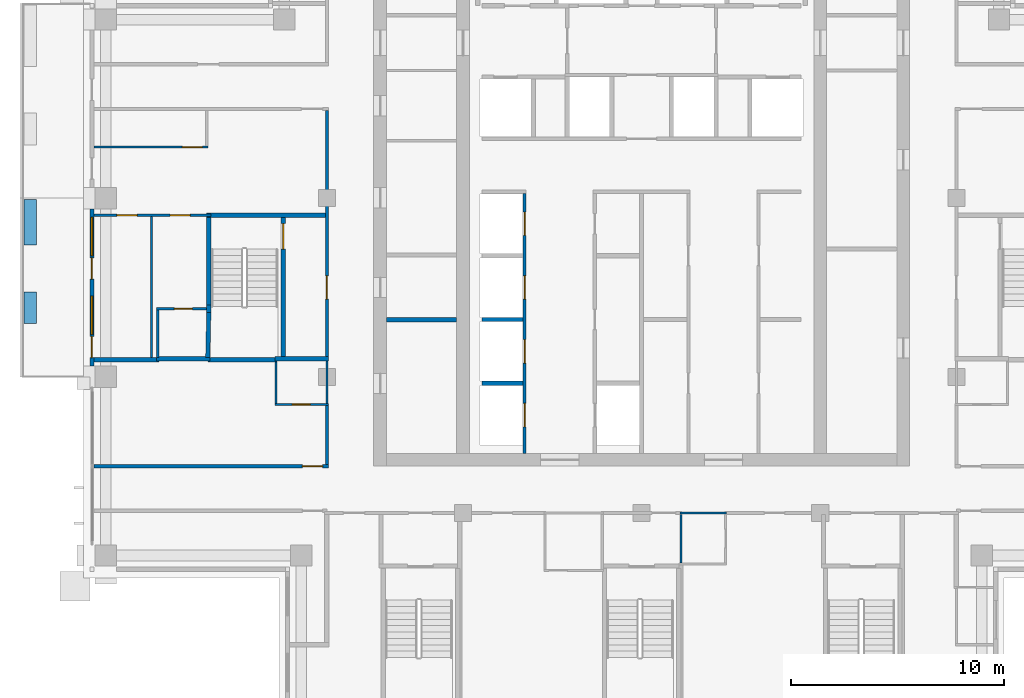
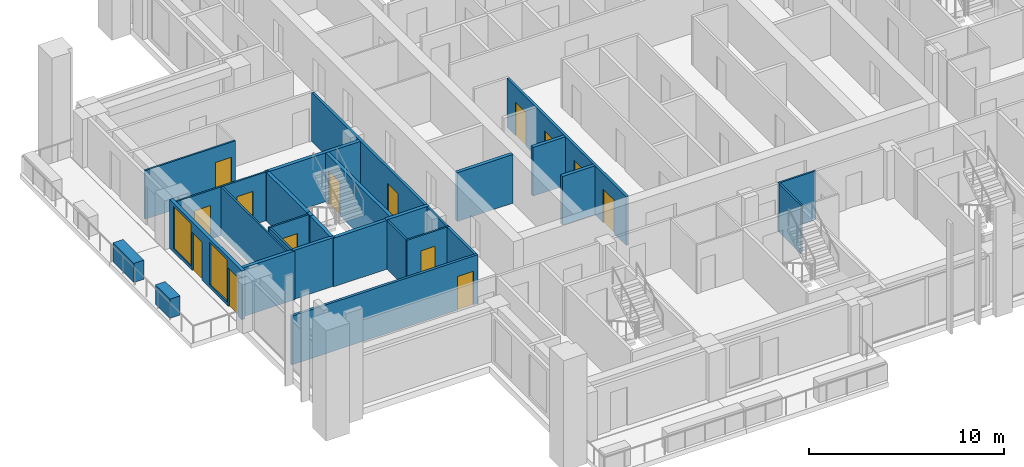
# One storey, part 7 of 17: 29 walls, 14 doors, 2 windows, 16 openings.
"""IFC4 building model written with IfcOpenShell, lengths in metres."""

from ifc_helpers import new_model, si_unit, direction, frame, frame_2d, origin, place, context, subcontext, project, spatial, rectangle, extrude, material, layer, layer_set, type_object, element, fill, save


model = new_model("IFC4")

# Units and contexts
model_context = context("Model", 3, precision=1e-05, world=origin(), true_north=direction((0.0, 1.0)))
body_context = subcontext(model_context, "Body", "Model", "MODEL_VIEW")
ifc_project = project(units=[si_unit("LENGTHUNIT", "METRE"), si_unit("AREAUNIT", "SQUARE_METRE"), si_unit("VOLUMEUNIT", "CUBIC_METRE"), si_unit("PLANEANGLEUNIT", "RADIAN"), si_unit("MASSUNIT", "GRAM", prefix="KILO")], contexts=[model_context])

# Site, building, storey
site_placement = place(None, origin())
site = spatial("IfcSite", under=ifc_project, at=site_placement, CompositionType="ELEMENT")
building_placement = place(site_placement, origin())
building = spatial("IfcBuilding", under=site, at=building_placement, Name="Vermilion Ogive Tower", CompositionType="ELEMENT")
storey_placement = place(building_placement, frame((0.0, 0.0, 192.800048828125)))
storey = spatial("IfcBuildingStorey", under=building, at=storey_placement, Name="L50", CompositionType="ELEMENT", Elevation=192.800048828125)

# Wall
ifc_material_1 = material(Name="Gypsum board partition on steel studs", Category="steel")
ifc_layer_1 = layer(ifc_material_1, 0.10009765625)
ifc_layer_set_1 = layer_set([ifc_layer_1], Name="Partition 100 bath")
wall_type_1 = type_object("IfcWallType", Name="Partition 100 bath", PredefinedType="PARTITIONING", material=ifc_layer_set_1)
wall_1_placement = place(storey_placement, frame((1.800048828125, -10.60009765625, 0.0), z_axis=(0.0, 0.0, 1.0), x_axis=(1.0, 0.0, 0.0)))
element("IfcWall", 1, at=wall_1_placement, inside=storey, type_object=wall_type_1, Name="L50-W-W015", PredefinedType="PARTITIONING", context=body_context, shape_type="SweptSolid", body=[
    extrude(rectangle(XDim=2.199951171875, YDim=0.10009765625, at=frame_2d((1.10009765625, 0.0))), origin(), (0.0, 0.0, 1.0), 3.050048828125),
])

# Wall, opening, door
wall_2_placement = place(storey_placement, frame((-17.25, -5.5, 0.0), z_axis=(0.0, 0.0, 1.0), x_axis=(1.0, 0.0, 0.0)))
wall_2 = element("IfcWall", 2, at=wall_2_placement, inside=storey, type_object=wall_type_1, Name="L50-W-W021", PredefinedType="PARTITIONING", context=body_context, shape_type="SweptSolid", body=[
    extrude(rectangle(XDim=2.52490234375, YDim=0.10009765625, at=frame_2d((1.262451171875, 0.0))), origin(), (0.0, 0.0, 1.0), 3.050048828125),
])
opening_1_placement = place(wall_2_placement, frame((0.824951171875, 0.0, 0.0)))
opening_1 = element("IfcOpeningElement", 3, at=opening_1_placement, cuts=wall_2, Name="Opening D4G3003", PredefinedType="OPENING", context=body_context, shape_type="SweptSolid", body=[
    extrude(rectangle(XDim=0.85009765625, YDim=2.10009765625, at=frame_2d((0.425048828125, 1.050048828125))), frame((0.0, 0.06005859375, 0.0), z_axis=(0.0, -1.0, 0.0), x_axis=(1.0, 0.0, 0.0)), (0.0, 0.0, 1.0), 0.1201171875),
])
ifc_material_2 = material(Name="Timber door leaf", Category="wood")
door_type_1 = type_object("IfcDoorType", Name="Bath door 850 x 2100 FD30", OperationType="SINGLE_SWING_LEFT", PredefinedType="DOOR", material=ifc_material_2)
door_1_placement = place(opening_1_placement, origin())
door_1 = element("IfcDoor", 4, at=door_1_placement, inside=storey, type_object=door_type_1, Name="L50-D-D003", OperationType="SINGLE_SWING_LEFT", OverallHeight=2.10009765625, OverallWidth=0.85009765625, PredefinedType="DOOR", context=body_context, shape_type="SweptSolid", body=[
    extrude(rectangle(XDim=0.85009765625, YDim=2.10009765625, at=frame_2d((0.425048828125, 1.050048828125))), frame((0.0, 0.02490234375, 0.0), z_axis=(0.0, -1.0, 0.0), x_axis=(1.0, 0.0, 0.0)), (0.0, 0.0, 1.0), 0.050048828125),
])
fill(opening_1, door_1)

wall_3_placement = place(storey_placement, frame((-22.800048828125, -1.0, 0.0), z_axis=(0.0, 0.0, 1.0), x_axis=(1.0, 0.0, 0.0)))
wall_3 = element("IfcWall", 5, at=wall_3_placement, inside=storey, type_object=wall_type_1, Name="L50-W-W031", PredefinedType="PARTITIONING", context=body_context, shape_type="SweptSolid", body=[
    extrude(rectangle(XDim=2.35009765625, YDim=0.10009765625, at=frame_2d((1.175048828125, 0.0))), origin(), (0.0, 0.0, 1.0), 3.050048828125),
])
opening_2_placement = place(wall_3_placement, frame((0.824951171875, 0.0, 0.0)))
opening_2 = element("IfcOpeningElement", 6, at=opening_2_placement, cuts=wall_3, Name="Opening D4G3008", PredefinedType="OPENING", context=body_context, shape_type="SweptSolid", body=[
    extrude(rectangle(XDim=0.85009765625, YDim=2.10009765625, at=frame_2d((0.425048828125, 1.050048828125))), frame((0.0, 0.06005859375, 0.0), z_axis=(0.0, -1.0, 0.0), x_axis=(1.0, 0.0, 0.0)), (0.0, 0.0, 1.0), 0.1201171875),
])
door_2_placement = place(opening_2_placement, origin())
door_2 = element("IfcDoor", 7, at=door_2_placement, inside=storey, type_object=door_type_1, Name="L50-D-D008", OperationType="SINGLE_SWING_RIGHT", OverallHeight=2.10009765625, OverallWidth=0.85009765625, PredefinedType="DOOR", context=body_context, shape_type="SweptSolid", body=[
    extrude(rectangle(XDim=0.85009765625, YDim=2.10009765625, at=frame_2d((0.425048828125, 1.050048828125))), frame((0.0, 0.02490234375, 0.0), z_axis=(0.0, -1.0, 0.0), x_axis=(1.0, 0.0, 0.0)), (0.0, 0.0, 1.0), 0.050048828125),
])
fill(opening_2, door_2)

# Walls
wall_4_placement = place(storey_placement, frame((-22.75, -3.300048828125, 0.0), z_axis=(0.0, 0.0, 1.0), x_axis=(0.0, 1.0, 0.0)))
element("IfcWall", 8, at=wall_4_placement, inside=storey, type_object=wall_type_1, Name="L50-W-W047", PredefinedType="PARTITIONING", context=body_context, shape_type="SweptSolid", body=[
    extrude(rectangle(XDim=2.25, YDim=0.10009765625, at=frame_2d((1.125, 0.0))), origin(), (0.0, 0.0, 1.0), 3.050048828125),
])
wall_5_placement = place(storey_placement, frame((-17.199951171875, -5.449951171875, 0.0), z_axis=(0.0, 0.0, 1.0), x_axis=(0.0, 1.0, 0.0)))
element("IfcWall", 9, at=wall_5_placement, inside=storey, type_object=wall_type_1, Name="L50-W-W051", PredefinedType="PARTITIONING", context=body_context, shape_type="SweptSolid", body=[
    extrude(rectangle(XDim=1.949951171875, YDim=0.10009765625, at=frame_2d((0.97509765625, 0.0))), origin(), (0.0, 0.0, 1.0), 3.050048828125),
])
wall_6_placement = place(storey_placement, frame((-14.800048828125, -5.449951171875, 0.0), z_axis=(0.0, 0.0, 1.0), x_axis=(0.0, 1.0, 0.0)))
element("IfcWall", 10, at=wall_6_placement, inside=storey, type_object=wall_type_1, Name="L50-W-W055", PredefinedType="PARTITIONING", context=body_context, shape_type="SweptSolid", body=[
    extrude(rectangle(XDim=2.0, YDim=0.10009765625, at=frame_2d((1.0, 0.0))), origin(), (0.0, 0.0, 1.0), 3.050048828125),
])
wall_7_placement = place(storey_placement, frame((1.85009765625, -12.949951171875, 0.0), z_axis=(0.0, 0.0, 1.0), x_axis=(0.0, 1.0, 0.0)))
element("IfcWall", 11, at=wall_7_placement, inside=storey, type_object=wall_type_1, Name="L50-W-W067", PredefinedType="PARTITIONING", context=body_context, shape_type="SweptSolid", body=[
    extrude(rectangle(XDim=2.27490234375, YDim=0.10009765625, at=frame_2d((1.137451171875, 0.0))), origin(), (0.0, 0.0, 1.0), 3.050048828125),
])

# Wall, openings, doors
ifc_material_3 = material(Name="Gypsum board partition on steel studs", Category="steel")
ifc_layer_2 = layer(ifc_material_3, 0.10009765625)
ifc_layer_set_2 = layer_set([ifc_layer_2], Name="Partition 100 inner")
wall_type_2 = type_object("IfcWallType", Name="Partition 100 inner", PredefinedType="PARTITIONING", material=ifc_layer_set_2)
wall_8_placement = place(storey_placement, frame((-25.75, 3.39990234375, 0.0), z_axis=(0.0, 0.0, 1.0), x_axis=(1.0, 0.0, 0.0)))
wall_8 = element("IfcWall", 12, at=wall_8_placement, inside=storey, type_object=wall_type_2, Name="L50-W-W033", PredefinedType="PARTITIONING", context=body_context, shape_type="SweptSolid", body=[
    extrude(rectangle(XDim=5.5, YDim=0.10009765625, at=frame_2d((2.75, 0.0))), origin(), (0.0, 0.0, 1.0), 3.050048828125),
])
opening_3_placement = place(wall_8_placement, frame((1.074951171875, 0.0, 0.0)))
opening_3 = element("IfcOpeningElement", 13, at=opening_3_placement, cuts=wall_8, Name="Opening D4G3004", PredefinedType="OPENING", context=body_context, shape_type="SweptSolid", body=[
    extrude(rectangle(XDim=0.949951171875, YDim=2.10009765625, at=frame_2d((0.47509765625, 1.050048828125))), frame((0.0, 0.06005859375, 0.0), z_axis=(0.0, -1.0, 0.0), x_axis=(1.0, 0.0, 0.0)), (0.0, 0.0, 1.0), 0.1201171875),
])
opening_4_placement = place(wall_8_placement, frame((3.574951171875, 0.0, 0.0)))
opening_4 = element("IfcOpeningElement", 14, at=opening_4_placement, cuts=wall_8, Name="Opening D4G3007", PredefinedType="OPENING", context=body_context, shape_type="SweptSolid", body=[
    extrude(rectangle(XDim=0.949951171875, YDim=2.10009765625, at=frame_2d((0.47509765625, 1.050048828125))), frame((0.0, 0.06005859375, 0.0), z_axis=(0.0, -1.0, 0.0), x_axis=(1.0, 0.0, 0.0)), (0.0, 0.0, 1.0), 0.1201171875),
])
ifc_material_4 = material(Name="Timber door leaf", Category="wood")
door_type_2 = type_object("IfcDoorType", Name="Inner door 950 x 2100 FD30", OperationType="SINGLE_SWING_LEFT", PredefinedType="DOOR", material=ifc_material_4)
door_3_placement = place(opening_3_placement, origin())
door_3 = element("IfcDoor", 15, at=door_3_placement, inside=storey, type_object=door_type_2, Name="L50-D-D004", OperationType="SINGLE_SWING_RIGHT", OverallHeight=2.10009765625, OverallWidth=0.949951171875, PredefinedType="DOOR", context=body_context, shape_type="SweptSolid", body=[
    extrude(rectangle(XDim=0.949951171875, YDim=2.10009765625, at=frame_2d((0.47509765625, 1.050048828125))), frame((0.0, 0.02490234375, 0.0), z_axis=(0.0, -1.0, 0.0), x_axis=(1.0, 0.0, 0.0)), (0.0, 0.0, 1.0), 0.050048828125),
])
fill(opening_3, door_3)
door_4_placement = place(opening_4_placement, origin())
door_4 = element("IfcDoor", 16, at=door_4_placement, inside=storey, type_object=door_type_2, Name="L50-D-D007", OperationType="SINGLE_SWING_RIGHT", OverallHeight=2.10009765625, OverallWidth=0.949951171875, PredefinedType="DOOR", context=body_context, shape_type="SweptSolid", body=[
    extrude(rectangle(XDim=0.949951171875, YDim=2.10009765625, at=frame_2d((0.47509765625, 1.050048828125))), frame((0.0, 0.02490234375, 0.0), z_axis=(0.0, -1.0, 0.0), x_axis=(1.0, 0.0, 0.0)), (0.0, 0.0, 1.0), 0.050048828125),
])
fill(opening_4, door_4)

# Wall, opening, door
wall_9_placement = place(storey_placement, frame((-25.75, 6.60009765625, 0.0), z_axis=(0.0, 0.0, 1.0), x_axis=(1.0, 0.0, 0.0)))
wall_9 = element("IfcWall", 17, at=wall_9_placement, inside=storey, type_object=wall_type_2, Name="L50-W-W037", PredefinedType="PARTITIONING", context=body_context, shape_type="SweptSolid", body=[
    extrude(rectangle(XDim=5.35009765625, YDim=0.10009765625, at=frame_2d((2.675048828125, 0.0))), origin(), (0.0, 0.0, 1.0), 3.050048828125),
])
opening_5_placement = place(wall_9_placement, frame((4.14990234375, 0.0, 0.0)))
opening_5 = element("IfcOpeningElement", 18, at=opening_5_placement, cuts=wall_9, Name="Opening D4G3005", PredefinedType="OPENING", context=body_context, shape_type="SweptSolid", body=[
    extrude(rectangle(XDim=0.949951171875, YDim=2.10009765625, at=frame_2d((0.47509765625, 1.050048828125))), frame((0.0, 0.06005859375, 0.0), z_axis=(0.0, -1.0, 0.0), x_axis=(1.0, 0.0, 0.0)), (0.0, 0.0, 1.0), 0.1201171875),
])
door_5_placement = place(opening_5_placement, origin())
door_5 = element("IfcDoor", 19, at=door_5_placement, inside=storey, type_object=door_type_2, Name="L50-D-D005", OperationType="SINGLE_SWING_LEFT", OverallHeight=2.10009765625, OverallWidth=0.949951171875, PredefinedType="DOOR", context=body_context, shape_type="SweptSolid", body=[
    extrude(rectangle(XDim=0.949951171875, YDim=2.10009765625, at=frame_2d((0.47509765625, 1.050048828125))), frame((0.0, 0.02490234375, 0.0), z_axis=(0.0, -1.0, 0.0), x_axis=(1.0, 0.0, 0.0)), (0.0, 0.0, 1.0), 0.050048828125),
])
fill(opening_5, door_5)

# Wall
wall_10_placement = place(storey_placement, frame((-23.050048828125, -3.300048828125, 0.0), z_axis=(0.0, 0.0, 1.0), x_axis=(0.0, 1.0, 0.0)))
element("IfcWall", 20, at=wall_10_placement, inside=storey, type_object=wall_type_2, Name="L50-W-W046", PredefinedType="PARTITIONING", context=body_context, shape_type="SweptSolid", body=[
    extrude(rectangle(XDim=6.650146484375, YDim=0.10009765625, at=frame_2d((3.3251953125, 0.0))), origin(), (0.0, 0.0, 1.0), 3.050048828125),
])

# Wall, opening, door
ifc_material_5 = material(Name="Gypsum board partition on steel studs", Category="steel")
ifc_layer_3 = layer(ifc_material_5, 0.14990234375)
ifc_layer_set_3 = layer_set([ifc_layer_3], Name="Partition 150 corridor")
wall_type_3 = type_object("IfcWallType", Name="Partition 150 corridor", PredefinedType="PARTITIONING", material=ifc_layer_set_3)
wall_11_placement = place(storey_placement, frame((-25.75, -8.39990234375, 0.0), z_axis=(0.0, 0.0, 1.0), x_axis=(1.0, 0.0, 0.0)))
wall_11 = element("IfcWall", 21, at=wall_11_placement, inside=storey, type_object=wall_type_3, Name="L50-W-W019", PredefinedType="PARTITIONING", context=body_context, shape_type="SweptSolid", body=[
    extrude(rectangle(XDim=11.02490234375, YDim=0.14990234375, at=frame_2d((5.512451171875, 0.0))), origin(), (0.0, 0.0, 1.0), 3.050048828125),
])
opening_6_placement = place(wall_11_placement, frame((9.800048828125, 0.0, 0.0)))
opening_6 = element("IfcOpeningElement", 22, at=opening_6_placement, cuts=wall_11, Name="Opening D4G3002", PredefinedType="OPENING", context=body_context, shape_type="SweptSolid", body=[
    extrude(rectangle(XDim=0.949951171875, YDim=2.10009765625, at=frame_2d((0.47509765625, 1.050048828125))), frame((0.0, 0.0849609375, 0.0), z_axis=(0.0, -1.0, 0.0), x_axis=(1.0, 0.0, 0.0)), (0.0, 0.0, 1.0), 0.169921875),
])
ifc_material_6 = material(Name="Timber door leaf", Category="wood")
door_type_3 = type_object("IfcDoorType", Name="Unit door 950 x 2100 FD30S", OperationType="SINGLE_SWING_LEFT", PredefinedType="DOOR", material=ifc_material_6)
door_6_placement = place(opening_6_placement, origin())
door_6 = element("IfcDoor", 23, at=door_6_placement, inside=storey, type_object=door_type_3, Name="L50-D-D002", OperationType="SINGLE_SWING_LEFT", OverallHeight=2.10009765625, OverallWidth=0.949951171875, PredefinedType="DOOR", context=body_context, shape_type="SweptSolid", body=[
    extrude(rectangle(XDim=0.949951171875, YDim=2.10009765625, at=frame_2d((0.47509765625, 1.050048828125))), frame((0.0, 0.02490234375, 0.0), z_axis=(0.0, -1.0, 0.0), x_axis=(1.0, 0.0, 0.0)), (0.0, 0.0, 1.0), 0.050048828125),
])
fill(opening_6, door_6)

# Wall
wall_12_placement = place(storey_placement, frame((-14.800048828125, -8.324951171875, 0.0), z_axis=(0.0, 0.0, 1.0), x_axis=(0.0, 1.0, 0.0)))
element("IfcWall", 24, at=wall_12_placement, inside=storey, type_object=wall_type_3, Name="L50-W-W054", PredefinedType="PARTITIONING", context=body_context, shape_type="SweptSolid", body=[
    extrude(rectangle(XDim=2.77490234375, YDim=0.14990234375, at=frame_2d((1.387451171875, 0.0))), origin(), (0.0, 0.0, 1.0), 3.050048828125),
])

# Wall, opening, door
wall_13_placement = place(storey_placement, frame((-14.800048828125, -3.35009765625, 0.0), z_axis=(0.0, 0.0, 1.0), x_axis=(0.0, 1.0, 0.0)))
wall_13 = element("IfcWall", 25, at=wall_13_placement, inside=storey, type_object=wall_type_3, Name="L50-W-W056", PredefinedType="PARTITIONING", context=body_context, shape_type="SweptSolid", body=[
    extrude(rectangle(XDim=11.675048828125, YDim=0.14990234375, at=frame_2d((5.83740234375, 0.0))), origin(), (0.0, 0.0, 1.0), 3.050048828125),
])
opening_7_placement = place(wall_13_placement, frame((2.800048828125, 0.0, 0.0)))
opening_7 = element("IfcOpeningElement", 26, at=opening_7_placement, cuts=wall_13, Name="Opening D4G3033", PredefinedType="OPENING", context=body_context, shape_type="SweptSolid", body=[
    extrude(rectangle(XDim=1.10009765625, YDim=2.10009765625, at=frame_2d((0.550048828125, 1.050048828125))), frame((0.0, 0.0849609375, 0.0), z_axis=(0.0, -1.0, 0.0), x_axis=(1.0, 0.0, 0.0)), (0.0, 0.0, 1.0), 0.169921875),
])
ifc_material_7 = material(Name="Timber door leaf", Category="wood")
door_type_4 = type_object("IfcDoorType", Name="Stair door 1100 x 2100 FD60S", OperationType="SINGLE_SWING_LEFT", PredefinedType="DOOR", material=ifc_material_7)
door_7_placement = place(opening_7_placement, origin())
door_7 = element("IfcDoor", 27, at=door_7_placement, inside=storey, type_object=door_type_4, Name="L50-D-D033", OperationType="SINGLE_SWING_RIGHT", OverallHeight=2.10009765625, OverallWidth=1.10009765625, PredefinedType="DOOR", context=body_context, shape_type="SweptSolid", body=[
    extrude(rectangle(XDim=1.10009765625, YDim=2.10009765625, at=frame_2d((0.550048828125, 1.050048828125))), frame((0.0, 0.02490234375, 0.0), z_axis=(0.0, -1.0, 0.0), x_axis=(1.0, 0.0, 0.0)), (0.0, 0.0, 1.0), 0.050048828125),
])
fill(opening_7, door_7)

# Wall, openings, doors
wall_14_placement = place(storey_placement, frame((-5.5, -7.799072265625, 0.0), z_axis=(0.0, 0.0, 1.0), x_axis=(0.0, 1.0, 0.0)))
wall_14 = element("IfcWall", 28, at=wall_14_placement, inside=storey, type_object=wall_type_3, Name="L50-CK-W-W020", PredefinedType="PARTITIONING", context=body_context, shape_type="SweptSolid", body=[
    extrude(rectangle(XDim=12.22412109375, YDim=0.14990234375, at=frame_2d((6.112060546875, 0.0))), origin(), (0.0, 0.0, 1.0), 3.050048828125),
])
opening_8_placement = place(wall_14_placement, frame((1.2490234375, 0.0, 0.0)))
opening_8 = element("IfcOpeningElement", 29, at=opening_8_placement, cuts=wall_14, Name="Opening DAA458", PredefinedType="OPENING", context=body_context, shape_type="SweptSolid", body=[
    extrude(rectangle(XDim=1.10009765625, YDim=2.10009765625, at=frame_2d((0.550048828125, 1.050048828125))), frame((0.0, 0.0849609375, 0.0), z_axis=(0.0, -1.0, 0.0), x_axis=(1.0, 0.0, 0.0)), (0.0, 0.0, 1.0), 0.169921875),
])
opening_9_placement = place(wall_14_placement, frame((4.2490234375, 0.0, 0.0)))
opening_9 = element("IfcOpeningElement", 30, at=opening_9_placement, cuts=wall_14, Name="Opening DAA459", PredefinedType="OPENING", context=body_context, shape_type="SweptSolid", body=[
    extrude(rectangle(XDim=1.10009765625, YDim=2.10009765625, at=frame_2d((0.550048828125, 1.050048828125))), frame((0.0, 0.0849609375, 0.0), z_axis=(0.0, -1.0, 0.0), x_axis=(1.0, 0.0, 0.0)), (0.0, 0.0, 1.0), 0.169921875),
])
opening_10_placement = place(wall_14_placement, frame((7.2490234375, 0.0, 0.0)))
opening_10 = element("IfcOpeningElement", 31, at=opening_10_placement, cuts=wall_14, Name="Opening DAA460", PredefinedType="OPENING", context=body_context, shape_type="SweptSolid", body=[
    extrude(rectangle(XDim=1.10009765625, YDim=2.10009765625, at=frame_2d((0.550048828125, 1.050048828125))), frame((0.0, 0.0849609375, 0.0), z_axis=(0.0, -1.0, 0.0), x_axis=(1.0, 0.0, 0.0)), (0.0, 0.0, 1.0), 0.169921875),
])
opening_11_placement = place(wall_14_placement, frame((10.2490234375, 0.0, 0.0)))
opening_11 = element("IfcOpeningElement", 32, at=opening_11_placement, cuts=wall_14, Name="Opening DAA461", PredefinedType="OPENING", context=body_context, shape_type="SweptSolid", body=[
    extrude(rectangle(XDim=1.10009765625, YDim=2.10009765625, at=frame_2d((0.550048828125, 1.050048828125))), frame((0.0, 0.0849609375, 0.0), z_axis=(0.0, -1.0, 0.0), x_axis=(1.0, 0.0, 0.0)), (0.0, 0.0, 1.0), 0.169921875),
])
ifc_material_8 = material(Name="Stainless steel", Category="steel")
door_type_5 = type_object("IfcDoorType", Name="Lift landing door 1100 x 2100", OperationType="SLIDING_TO_LEFT", PredefinedType="DOOR", material=ifc_material_8)
door_8_placement = place(opening_8_placement, origin())
door_8 = element("IfcDoor", 33, at=door_8_placement, inside=storey, type_object=door_type_5, Name="L50-CK-D-D001", OperationType="SLIDING_TO_LEFT", OverallHeight=2.10009765625, OverallWidth=1.10009765625, PredefinedType="DOOR", context=body_context, shape_type="SweptSolid", body=[
    extrude(rectangle(XDim=1.10009765625, YDim=2.10009765625, at=frame_2d((0.550048828125, 1.050048828125))), frame((0.0, 0.02490234375, 0.0), z_axis=(0.0, -1.0, 0.0), x_axis=(1.0, 0.0, 0.0)), (0.0, 0.0, 1.0), 0.050048828125),
])
fill(opening_8, door_8)
door_9_placement = place(opening_9_placement, origin())
door_9 = element("IfcDoor", 34, at=door_9_placement, inside=storey, type_object=door_type_5, Name="L50-CK-D-D002", OperationType="SLIDING_TO_LEFT", OverallHeight=2.10009765625, OverallWidth=1.10009765625, PredefinedType="DOOR", context=body_context, shape_type="SweptSolid", body=[
    extrude(rectangle(XDim=1.10009765625, YDim=2.10009765625, at=frame_2d((0.550048828125, 1.050048828125))), frame((0.0, 0.02490234375, 0.0), z_axis=(0.0, -1.0, 0.0), x_axis=(1.0, 0.0, 0.0)), (0.0, 0.0, 1.0), 0.050048828125),
])
fill(opening_9, door_9)
door_10_placement = place(opening_10_placement, origin())
door_10 = element("IfcDoor", 35, at=door_10_placement, inside=storey, type_object=door_type_5, Name="L50-CK-D-D003", OperationType="SLIDING_TO_LEFT", OverallHeight=2.10009765625, OverallWidth=1.10009765625, PredefinedType="DOOR", context=body_context, shape_type="SweptSolid", body=[
    extrude(rectangle(XDim=1.10009765625, YDim=2.10009765625, at=frame_2d((0.550048828125, 1.050048828125))), frame((0.0, 0.02490234375, 0.0), z_axis=(0.0, -1.0, 0.0), x_axis=(1.0, 0.0, 0.0)), (0.0, 0.0, 1.0), 0.050048828125),
])
fill(opening_10, door_10)
door_11_placement = place(opening_11_placement, origin())
door_11 = element("IfcDoor", 36, at=door_11_placement, inside=storey, type_object=door_type_5, Name="L50-CK-D-D004", OperationType="SLIDING_TO_LEFT", OverallHeight=2.10009765625, OverallWidth=1.10009765625, PredefinedType="DOOR", context=body_context, shape_type="SweptSolid", body=[
    extrude(rectangle(XDim=1.10009765625, YDim=2.10009765625, at=frame_2d((0.550048828125, 1.050048828125))), frame((0.0, 0.02490234375, 0.0), z_axis=(0.0, -1.0, 0.0), x_axis=(1.0, 0.0, 0.0)), (0.0, 0.0, 1.0), 0.050048828125),
])
fill(opening_11, door_11)

# Walls
ifc_material_9 = material(Name="Gypsum board partition on steel studs", Category="steel")
ifc_layer_4 = layer(ifc_material_9, 0.199951171875)
ifc_layer_set_4 = layer_set([ifc_layer_4], Name="Partition 200 party")
wall_type_4 = type_object("IfcWallType", Name="Partition 200 party", PredefinedType="PARTITIONING", material=ifc_layer_set_4)
wall_15_placement = place(storey_placement, frame((-25.75, -3.39990234375, 0.0), z_axis=(0.0, 0.0, 1.0), x_axis=(1.0, 0.0, 0.0)))
element("IfcWall", 37, at=wall_15_placement, inside=storey, type_object=wall_type_4, Name="L50-W-W023", PredefinedType="PARTITIONING", context=body_context, shape_type="SweptSolid", body=[
    extrude(rectangle(XDim=3.050048828125, YDim=0.199951171875, at=frame_2d((1.52490234375, 0.0))), origin(), (0.0, 0.0, 1.0), 3.050048828125),
])
for number, where, z_axis, x_axis, name in (
    (38, (-7.5, -4.5, 0.0), (0.0, 0.0, 1.0), (1.0, 0.0, 0.0), "L50-CK-W-W001"),
    (39, (-7.5, -1.5, 0.0), (0.0, 0.0, 1.0), (1.0, 0.0, 0.0), "L50-CK-W-W003"),
):
    element("IfcWall", number, at=place(storey_placement, frame(where, z_axis=z_axis, x_axis=x_axis)), inside=storey, type_object=wall_type_4, Name=name, PredefinedType="PARTITIONING", context=body_context, shape_type="SweptSolid", body=[
        extrude(rectangle(XDim=1.925048828125, YDim=0.199951171875, at=frame_2d((0.96240234375, 0.0))), origin(), (0.0, 0.0, 1.0), 3.050048828125),
    ])
wall_16_placement = place(storey_placement, frame((-11.9990234375, -1.51904296875, 0.0), z_axis=(0.0, 0.0, 1.0), x_axis=(1.0, 0.0, 0.0)))
element("IfcWall", 40, at=wall_16_placement, inside=storey, type_object=wall_type_4, Name="L50-CKW-W-W001", PredefinedType="PARTITIONING", context=body_context, shape_type="SweptSolid", body=[
    extrude(rectangle(XDim=3.298095703125, YDim=0.199951171875, at=frame_2d((1.64892578125, 0.0))), origin(), (0.0, 0.0, 1.0), 3.050048828125),
])
ifc_material_10 = material(Name="Concrete B60", Category="concrete")
ifc_layer_5 = layer(ifc_material_10, 0.199951171875)
ifc_layer_set_5 = layer_set([ifc_layer_5], Name="Stair shaft wall 200 Concrete B60")
wall_type_5 = type_object("IfcWallType", Name="Stair shaft wall 200 Concrete B60", PredefinedType="SOLIDWALL", material=ifc_layer_set_5)
wall_17_placement = place(storey_placement, frame((-22.800048828125, -3.349853515625, 0.0), z_axis=(0.0, 0.0, 1.0), x_axis=(1.0, 0.0, 0.0)))
element("IfcWall", 41, at=wall_17_placement, inside=storey, type_object=wall_type_5, Name="L50-W-W024", PredefinedType="SOLIDWALL", context=body_context, shape_type="SweptSolid", body=[
    extrude(rectangle(XDim=2.5, YDim=0.199951171875, at=frame_2d((1.25, 0.0))), origin(), (0.0, 0.0, 1.0), 3.050048828125),
])
wall_18_placement = place(storey_placement, frame((-20.39990234375, -3.39990234375, 0.0), z_axis=(0.0, 0.0, 1.0), x_axis=(1.0, 0.0, 0.0)))
element("IfcWall", 42, at=wall_18_placement, inside=storey, type_object=wall_type_5, Name="L50-W-W025", PredefinedType="SOLIDWALL", context=body_context, shape_type="SweptSolid", body=[
    extrude(rectangle(XDim=3.25, YDim=0.199951171875, at=frame_2d((1.625, 0.0))), origin(), (0.0, 0.0, 1.0), 3.050048828125),
])
wall_19_placement = place(storey_placement, frame((-17.25, -3.349853515625, 0.0), z_axis=(0.0, 0.0, 1.0), x_axis=(1.0, 0.0, 0.0)))
element("IfcWall", 43, at=wall_19_placement, inside=storey, type_object=wall_type_5, Name="L50-W-W026", PredefinedType="SOLIDWALL", context=body_context, shape_type="SweptSolid", body=[
    extrude(rectangle(XDim=2.52490234375, YDim=0.199951171875, at=frame_2d((1.262451171875, 0.0))), origin(), (0.0, 0.0, 1.0), 3.050048828125),
])
wall_20_placement = place(storey_placement, frame((-20.449951171875, 3.39990234375, 0.0), z_axis=(0.0, 0.0, 1.0), x_axis=(1.0, 0.0, 0.0)))
element("IfcWall", 44, at=wall_20_placement, inside=storey, type_object=wall_type_5, Name="L50-W-W034", PredefinedType="SOLIDWALL", context=body_context, shape_type="SweptSolid", body=[
    extrude(rectangle(XDim=5.574951171875, YDim=0.199951171875, at=frame_2d((2.78759765625, 0.0))), origin(), (0.0, 0.0, 1.0), 3.050048828125),
])
wall_21_placement = place(storey_placement, frame((-20.400146484375, -3.300048828125, 0.0), z_axis=(0.0, 0.0, 1.0), x_axis=(0.022687568549, 0.99974260399, 0.0)))
element("IfcWall", 45, at=wall_21_placement, inside=storey, type_object=wall_type_5, Name="L50-W-W049", PredefinedType="SOLIDWALL", context=body_context, shape_type="SweptSolid", body=[
    extrude(rectangle(XDim=2.130615234375, YDim=0.199951171875, at=frame_2d((1.0654296875, 0.0))), origin(), (0.0, 0.0, 1.0), 3.050048828125),
])
wall_22_placement = place(storey_placement, frame((-20.35009765625, -0.830078125, 0.0), z_axis=(0.0, 0.0, 1.0), x_axis=(0.0, 1.0, 0.0)))
element("IfcWall", 46, at=wall_22_placement, inside=storey, type_object=wall_type_5, Name="L50-W-W050", PredefinedType="SOLIDWALL", context=body_context, shape_type="SweptSolid", body=[
    extrude(rectangle(XDim=4.130126953125, YDim=0.199951171875, at=frame_2d((2.06494140625, 0.0))), origin(), (0.0, 0.0, 1.0), 3.050048828125),
])

# Wall, opening, door
wall_23_placement = place(storey_placement, frame((-16.85009765625, -3.35009765625, 0.0), z_axis=(0.0, 0.0, 1.0), x_axis=(0.0, 1.0, 0.0)))
wall_23 = element("IfcWall", 47, at=wall_23_placement, inside=storey, type_object=wall_type_5, Name="L50-W-W052", PredefinedType="SOLIDWALL", context=body_context, shape_type="SweptSolid", body=[
    extrude(rectangle(XDim=6.650146484375, YDim=0.199951171875, at=frame_2d((3.3251953125, 0.0))), origin(), (0.0, 0.0, 1.0), 3.050048828125),
])
opening_12_placement = place(wall_23_placement, frame((5.14990234375, 0.0, 0.0)))
opening_12 = element("IfcOpeningElement", 48, at=opening_12_placement, cuts=wall_23, Name="Opening D4G3034", PredefinedType="OPENING", context=body_context, shape_type="SweptSolid", body=[
    extrude(rectangle(XDim=1.199951171875, YDim=2.10009765625, at=frame_2d((0.60009765625, 1.050048828125))), frame((0.0, 0.10986328125, 0.0), z_axis=(0.0, -1.0, 0.0), x_axis=(1.0, 0.0, 0.0)), (0.0, 0.0, 1.0), 0.219970703125),
])
ifc_material_11 = material(Name="Timber door leaf", Category="wood")
door_type_6 = type_object("IfcDoorType", Name="Stair door 1200 x 2100 FD60S", OperationType="SINGLE_SWING_LEFT", PredefinedType="DOOR", material=ifc_material_11)
door_12_placement = place(opening_12_placement, origin())
door_12 = element("IfcDoor", 49, at=door_12_placement, inside=storey, type_object=door_type_6, Name="L50-D-D034", OperationType="SINGLE_SWING_RIGHT", OverallHeight=2.10009765625, OverallWidth=1.199951171875, PredefinedType="DOOR", context=body_context, shape_type="SweptSolid", body=[
    extrude(rectangle(XDim=1.199951171875, YDim=2.10009765625, at=frame_2d((0.60009765625, 1.050048828125))), frame((0.0, 0.02490234375, 0.0), z_axis=(0.0, -1.0, 0.0), x_axis=(1.0, 0.0, 0.0)), (0.0, 0.0, 1.0), 0.050048828125),
])
fill(opening_12, door_12)

# Walls
wall_24_placement = place(storey_placement, frame((-20.35009765625, -1.169921875, 0.0), z_axis=(0.0, 0.0, 1.0), x_axis=(0.0, 1.0, 0.0)))
element("IfcWall", 50, at=wall_24_placement, inside=storey, type_object=wall_type_5, Name="L50-SW-ST9-W1", PredefinedType="SOLIDWALL", context=body_context, shape_type="SweptSolid", body=[
    extrude(rectangle(XDim=0.33984375, YDim=0.199951171875, at=frame_2d((0.169921875, 0.0))), origin(), (0.0, 0.0, 1.0), 3.050048828125),
])
ifc_material_12 = material(Name="Concrete B40", Category="concrete")
ifc_layer_6 = layer(ifc_material_12, 0.60009765625)
ifc_layer_set_6 = layer_set([ifc_layer_6], Name="Structural planter")
wall_type_6 = type_object("IfcWallType", Name="Structural planter", PredefinedType="USERDEFINED", material=ifc_layer_set_6)
wall_25_placement = place(storey_placement, frame((-28.75, 4.139892578125, -0.0400390625), z_axis=(0.0, 0.0, 1.0), x_axis=(0.0, -1.0, 0.0)))
element("IfcWall", 51, at=wall_25_placement, inside=storey, type_object=wall_type_6, Name="Planter W02A1", ObjectType="PLANTER", PredefinedType="USERDEFINED", context=body_context, shape_type="SweptSolid", body=[
    extrude(rectangle(XDim=2.139892578125, YDim=0.60009765625, at=frame_2d((1.06982421875, 0.0))), origin(), (0.0, 0.0, 1.0), 1.199951171875),
])
wall_26_placement = place(storey_placement, frame((-28.75, -0.199951171875, -0.0400390625), z_axis=(0.0, 0.0, 1.0), x_axis=(0.0, -1.0, 0.0)))
element("IfcWall", 52, at=wall_26_placement, inside=storey, type_object=wall_type_6, Name="Planter W02A2", ObjectType="PLANTER", PredefinedType="USERDEFINED", context=body_context, shape_type="SweptSolid", body=[
    extrude(rectangle(XDim=1.5, YDim=0.60009765625, at=frame_2d((0.75, 0.0))), origin(), (0.0, 0.0, 1.0), 1.199951171875),
])

# Wall, openings, doors, windows
ifc_material_13 = material(Name="Aluminium window wall framing", Category="aluminium")
ifc_layer_7 = layer(ifc_material_13, 0.199951171875)
ifc_layer_set_7 = layer_set([ifc_layer_7], Name="Window wall")
wall_type_7 = type_object("IfcWallType", Name="Window wall", PredefinedType="STANDARD", material=ifc_layer_set_7)
wall_27_placement = place(storey_placement, frame((-25.85009765625, 3.699951171875, 0.0), z_axis=(0.0, 0.0, 1.0), x_axis=(0.0, -1.0, 0.0)))
wall_27 = element("IfcWall", 53, at=wall_27_placement, inside=storey, type_object=wall_type_7, Name="Window wall W2", PredefinedType="STANDARD", context=body_context, shape_type="SweptSolid", body=[
    extrude(rectangle(XDim=7.39990234375, YDim=0.199951171875, at=frame_2d((3.699951171875, 0.0))), origin(), (0.0, 0.0, 1.0), 3.050048828125),
])
opening_13_placement = place(wall_27_placement, frame((4.10009765625, 0.0, 0.199951171875)))
opening_13 = element("IfcOpeningElement", 54, at=opening_13_placement, cuts=wall_27, Name="Opening W1-W99", PredefinedType="OPENING", context=body_context, shape_type="SweptSolid", body=[
    extrude(rectangle(XDim=1.800048828125, YDim=2.64990234375, at=frame_2d((0.89990234375, 1.324951171875))), frame((0.0, 0.10986328125, 0.0), z_axis=(0.0, -1.0, 0.0), x_axis=(1.0, 0.0, 0.0)), (0.0, 0.0, 1.0), 0.219970703125),
])
opening_14_placement = place(wall_27_placement, frame((6.0, 0.0, 0.0)))
opening_14 = element("IfcOpeningElement", 55, at=opening_14_placement, cuts=wall_27, Name="Opening D1-W99", PredefinedType="OPENING", context=body_context, shape_type="SweptSolid", body=[
    extrude(rectangle(XDim=1.0, YDim=2.39990234375, at=frame_2d((0.5, 1.199951171875))), frame((0.0, 0.10986328125, 0.0), z_axis=(0.0, -1.0, 0.0), x_axis=(1.0, 0.0, 0.0)), (0.0, 0.0, 1.0), 0.219970703125),
])
opening_15_placement = place(wall_27_placement, frame((0.39990234375, 0.0, 0.199951171875)))
opening_15 = element("IfcOpeningElement", 56, at=opening_15_placement, cuts=wall_27, Name="Opening W1-W00", PredefinedType="OPENING", context=body_context, shape_type="SweptSolid", body=[
    extrude(rectangle(XDim=1.800048828125, YDim=2.64990234375, at=frame_2d((0.89990234375, 1.324951171875))), frame((0.0, 0.10986328125, 0.0), z_axis=(0.0, -1.0, 0.0), x_axis=(1.0, 0.0, 0.0)), (0.0, 0.0, 1.0), 0.219970703125),
])
opening_16_placement = place(wall_27_placement, frame((2.300048828125, 0.0, 0.0)))
opening_16 = element("IfcOpeningElement", 57, at=opening_16_placement, cuts=wall_27, Name="Opening D1-W00", PredefinedType="OPENING", context=body_context, shape_type="SweptSolid", body=[
    extrude(rectangle(XDim=1.0, YDim=2.39990234375, at=frame_2d((0.5, 1.199951171875))), frame((0.0, 0.10986328125, 0.0), z_axis=(0.0, -1.0, 0.0), x_axis=(1.0, 0.0, 0.0)), (0.0, 0.0, 1.0), 0.219970703125),
])
ifc_material_14 = material(Name="Aluminium framed glazed door", Category="aluminium")
door_type_7 = type_object("IfcDoorType", Name="Balcony door D1", OperationType="SINGLE_SWING_LEFT", PredefinedType="DOOR", material=ifc_material_14)
door_13_placement = place(opening_14_placement, origin())
door_13 = element("IfcDoor", 58, at=door_13_placement, inside=storey, type_object=door_type_7, Name="Balcony door W99", OperationType="SINGLE_SWING_LEFT", OverallHeight=2.39990234375, OverallWidth=1.0, PredefinedType="DOOR", context=body_context, shape_type="SweptSolid", body=[
    extrude(rectangle(XDim=1.0, YDim=2.39990234375, at=frame_2d((0.5, 1.199951171875))), frame((0.0, 0.02490234375, 0.0), z_axis=(0.0, -1.0, 0.0), x_axis=(1.0, 0.0, 0.0)), (0.0, 0.0, 1.0), 0.050048828125),
])
fill(opening_14, door_13)
door_14_placement = place(opening_16_placement, origin())
door_14 = element("IfcDoor", 59, at=door_14_placement, inside=storey, type_object=door_type_7, Name="Balcony door W00", OperationType="SINGLE_SWING_LEFT", OverallHeight=2.39990234375, OverallWidth=1.0, PredefinedType="DOOR", context=body_context, shape_type="SweptSolid", body=[
    extrude(rectangle(XDim=1.0, YDim=2.39990234375, at=frame_2d((0.5, 1.199951171875))), frame((0.0, 0.02490234375, 0.0), z_axis=(0.0, -1.0, 0.0), x_axis=(1.0, 0.0, 0.0)), (0.0, 0.0, 1.0), 0.050048828125),
])
fill(opening_16, door_14)
ifc_material_15 = material(Name="Aluminium framed double glazing", Category="aluminium")
window_type = type_object("IfcWindowType", Name="Guest window W1", PartitioningType="SINGLE_PANEL", PredefinedType="WINDOW", material=ifc_material_15)
window_1_placement = place(opening_13_placement, origin())
window_1 = element("IfcWindow", 60, at=window_1_placement, inside=storey, type_object=window_type, Name="Window W99", OverallHeight=2.64990234375, OverallWidth=1.800048828125, PartitioningType="SINGLE_PANEL", PredefinedType="WINDOW", context=body_context, shape_type="SweptSolid", body=[
    extrude(rectangle(XDim=1.800048828125, YDim=2.64990234375, at=frame_2d((0.89990234375, 1.324951171875))), frame((0.0, 0.030029296875, 0.0), z_axis=(0.0, -1.0, 0.0), x_axis=(1.0, 0.0, 0.0)), (0.0, 0.0, 1.0), 0.06005859375),
])
fill(opening_13, window_1)
window_2_placement = place(opening_15_placement, origin())
window_2 = element("IfcWindow", 61, at=window_2_placement, inside=storey, type_object=window_type, Name="Window W00", OverallHeight=2.64990234375, OverallWidth=1.800048828125, PartitioningType="SINGLE_PANEL", PredefinedType="WINDOW", context=body_context, shape_type="SweptSolid", body=[
    extrude(rectangle(XDim=1.800048828125, YDim=2.64990234375, at=frame_2d((0.89990234375, 1.324951171875))), frame((0.0, 0.030029296875, 0.0), z_axis=(0.0, -1.0, 0.0), x_axis=(1.0, 0.0, 0.0)), (0.0, 0.0, 1.0), 0.06005859375),
])
fill(opening_15, window_2)

save(model, "model.ifc")
